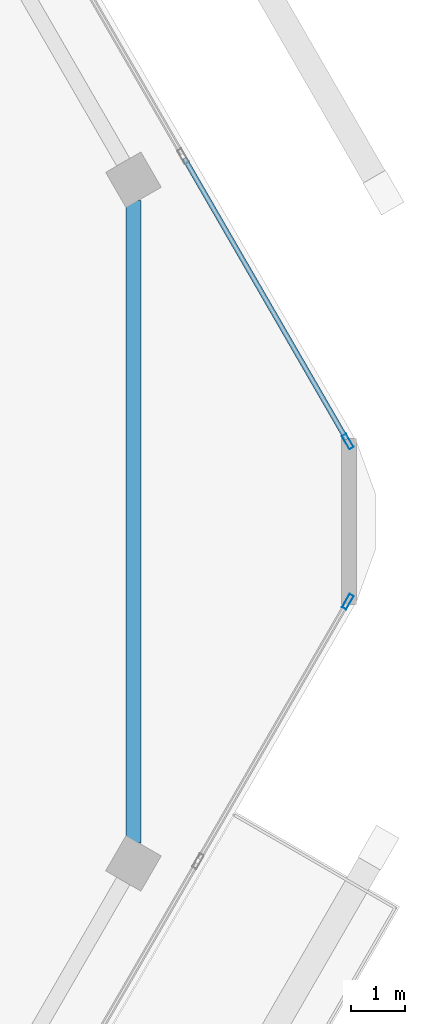
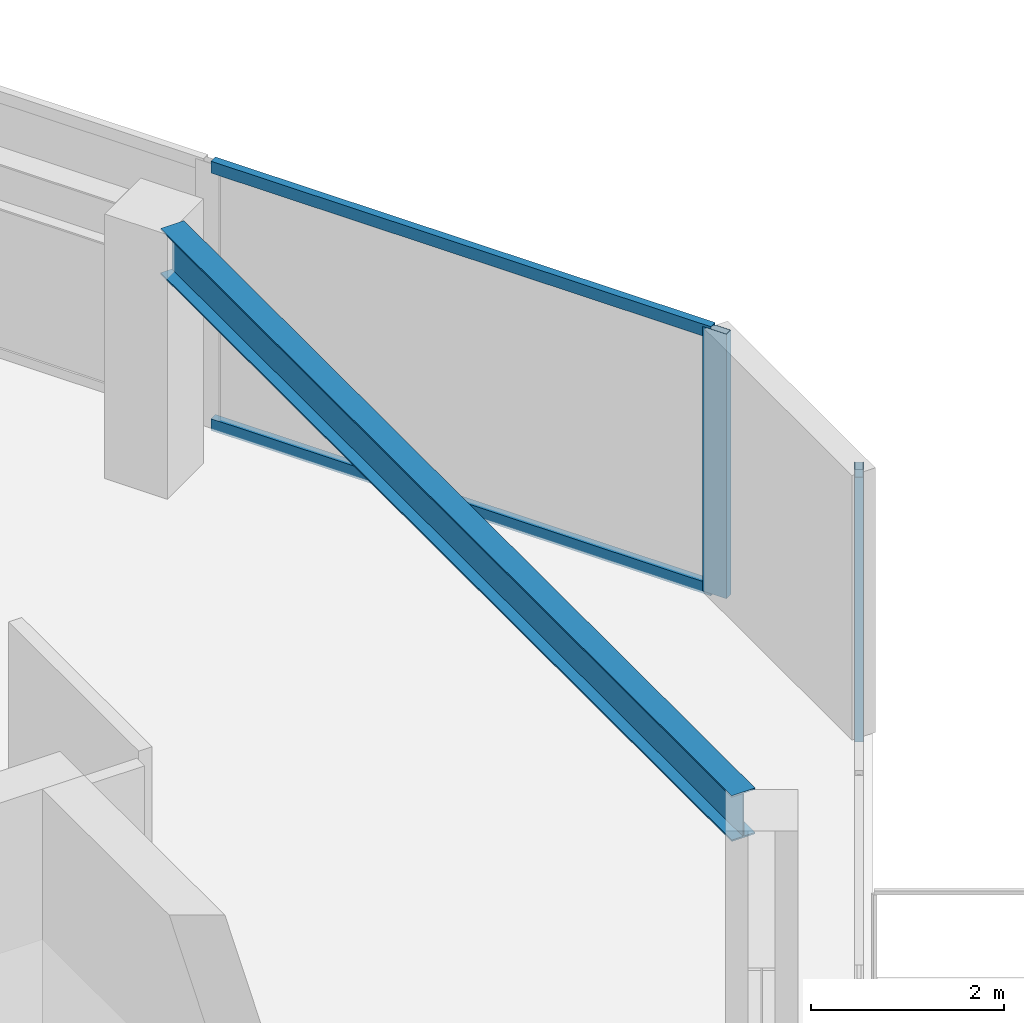
# One storey, part 8 of 22: 4 members, 1 beam, 2 elements without a shape of their own.
"""IFC4 building model written with IfcOpenShell, lengths in metres."""

from ifc_helpers import new_model, si_unit, direction, frame, origin, origin_2d, place, context, subcontext, project, spatial, hollow_rectangle, i_section, extrude, material, material_profile, profile_set, type_object, element, aggregate, save


model = new_model("IFC4")

# Units and contexts
model_context = context("Model", 3, precision=1e-05, world=origin(), true_north=direction((0.0, 1.0)))
body_context = subcontext(model_context, "Body", "Model", "MODEL_VIEW")
ifc_project = project(units=[si_unit("LENGTHUNIT", "METRE"), si_unit("AREAUNIT", "SQUARE_METRE"), si_unit("VOLUMEUNIT", "CUBIC_METRE"), si_unit("PLANEANGLEUNIT", "RADIAN"), si_unit("MASSUNIT", "GRAM", prefix="KILO")], contexts=[model_context])

# Site, building, storey
site_placement = place(None, origin())
site = spatial("IfcSite", under=ifc_project, at=site_placement, CompositionType="ELEMENT")
building_placement = place(site_placement, origin())
building = spatial("IfcBuilding", under=site, at=building_placement, Name="Zuhravey Tower", CompositionType="ELEMENT")
storey_placement = place(building_placement, frame((0.0, 0.0, 357.60009765625)))
storey = spatial("IfcBuildingStorey", under=building, at=storey_placement, Name="L91", CompositionType="ELEMENT", Elevation=357.60009765625)

# Curtain wall, member
ifc_material_1 = material(Name="Thermally broken anodised aluminium", Category="aluminium")
curtain_wall_type = type_object("IfcCurtainWallType", Name="Zone 3-4 High-Rise Curtain Wall CW4", PredefinedType="NOTDEFINED", material=ifc_material_1)
curtain_wall_1_placement = place(storey_placement, origin())
curtain_wall_1 = element("IfcCurtainWall", 1, at=curtain_wall_1_placement, inside=storey, type_object=curtain_wall_type, Name="L91 CW4 CW-L91-F6-1", PredefinedType="NOTDEFINED")
ifc_material_2 = material(Name="Anodised aluminium", Category="aluminium")
ifc_material_profile_1 = material_profile(ifc_material_2, hollow_rectangle(XDim=0.090087890625, YDim=0.284912109375, WallThickness=0.0048828125, at=origin_2d()), Name="ALU-RHS-90x285x5")
ifc_profile_set_1 = profile_set([ifc_material_profile_1], Name="Anodised aluminium")
member_type_1 = type_object("IfcMemberType", Name="Curtain-Wall Mullion 90x180", PredefinedType="MULLION", material=ifc_profile_set_1)
member_1_placement = place(storey_placement, frame((62.94580078125, 30.5234375, 0.0), z_axis=(0.0, 0.0, 1.0), x_axis=(0.866026970807, -0.499997285828, 0.0)))
member_1 = element("IfcMember", 2, at=member_1_placement, type_object=member_type_1, Name="CW4 mullion 1", PredefinedType="MULLION", context=body_context, shape_type="SweptSolid", body=[
    extrude(hollow_rectangle(XDim=0.090087890625, YDim=0.284912109375, WallThickness=0.0048828125, at=origin_2d()), origin(), (0.0, 0.0, 1.0), 3.349853515625),
])
aggregate(curtain_wall_1, [member_1])

# Curtain wall, members
curtain_wall_2_placement = place(storey_placement, origin())
curtain_wall_2 = element("IfcCurtainWall", 3, at=curtain_wall_2_placement, inside=storey, type_object=curtain_wall_type, Name="L91 CW4 CW-L91-F1-1", PredefinedType="NOTDEFINED")
member_2_placement = place(storey_placement, frame((62.94580078125, 33.4765625, 0.0), z_axis=(0.0, 0.0, 1.0), x_axis=(0.866025511541, 0.49999981336, 0.0)))
member_2 = element("IfcMember", 4, at=member_2_placement, type_object=member_type_1, Name="CW4 mullion 5", PredefinedType="MULLION", context=body_context, shape_type="SweptSolid", body=[
    extrude(hollow_rectangle(XDim=0.090087890625, YDim=0.284912109375, WallThickness=0.0048828125, at=origin_2d()), origin(), (0.0, 0.0, 1.0), 3.349853515625),
])
ifc_material_profile_2 = material_profile(ifc_material_2, hollow_rectangle(XDim=0.090087890625, YDim=0.14990234375, WallThickness=0.0048828125, at=origin_2d()), Name="ALU-RHS-90x150x5")
ifc_profile_set_2 = profile_set([ifc_material_profile_2], Name="Anodised aluminium")
member_type_2 = type_object("IfcMemberType", Name="Curtain-Wall Transom 90x150", PredefinedType="USERDEFINED", material=ifc_profile_set_2)
member_3_placement = place(storey_placement, frame((59.93115234375, 38.6982421875, 0.044921875), z_axis=(0.499982594807, -0.866035452444, 0.0), x_axis=(0.866035452444, 0.499982594807, 0.0)))
member_3 = element("IfcMember", 5, at=member_3_placement, type_object=member_type_2, Name="CW4 transom 4.1", ObjectType="TRANSOM", PredefinedType="USERDEFINED", context=body_context, shape_type="SweptSolid", body=[
    extrude(hollow_rectangle(XDim=0.090087890625, YDim=0.14990234375, WallThickness=0.0048828125, at=origin_2d()), origin(), (0.0, 0.0, 1.0), 5.984619140625),
])
member_4_placement = place(storey_placement, frame((59.93115234375, 38.6982421875, 3.304931640625), z_axis=(0.499982594807, -0.866035452444, 0.0), x_axis=(0.866035452444, 0.499982594807, 0.0)))
member_4 = element("IfcMember", 6, at=member_4_placement, type_object=member_type_2, Name="CW4 transom 4.2", ObjectType="TRANSOM", PredefinedType="USERDEFINED", context=body_context, shape_type="SweptSolid", body=[
    extrude(hollow_rectangle(XDim=0.090087890625, YDim=0.14990234375, WallThickness=0.0048828125, at=origin_2d()), origin(), (0.0, 0.0, 1.0), 5.984619140625),
])
aggregate(curtain_wall_2, [member_2, member_3, member_4])

# Beam
ifc_material_3 = material(Name="Steel SM355", Category="steel")
ifc_material_profile_3 = material_profile(ifc_material_3, i_section(OverallWidth=0.280029296875, OverallDepth=0.580078125, WebThickness=0.011962890625, FlangeThickness=0.01904296875, at=origin_2d()), Name="H-580x280x12x19")
ifc_profile_set_3 = profile_set([ifc_material_profile_3], Name="Steel SM355")
beam_type = type_object("IfcBeamType", Name="Perimeter Ring Beam H580x280", PredefinedType="BEAM", material=ifc_profile_set_3)
beam_placement = place(storey_placement, frame((58.993408203125, 26.07568359375, 3.059814453125), z_axis=(0.0, 1.0, 0.0), x_axis=(-1.0, 0.0, 0.0)))
element("IfcBeam", 7, at=beam_placement, inside=storey, type_object=beam_type, Name="L91 PB4 BM-L91-PB-12", PredefinedType="BEAM", context=body_context, shape_type="SweptSolid", body=[
    extrude(i_section(OverallWidth=0.280029296875, OverallDepth=0.580078125, WebThickness=0.011962890625, FlangeThickness=0.01904296875, at=origin_2d()), origin(), (0.0, 0.0, 1.0), 11.8486328125),
])

save(model, "model.ifc")
